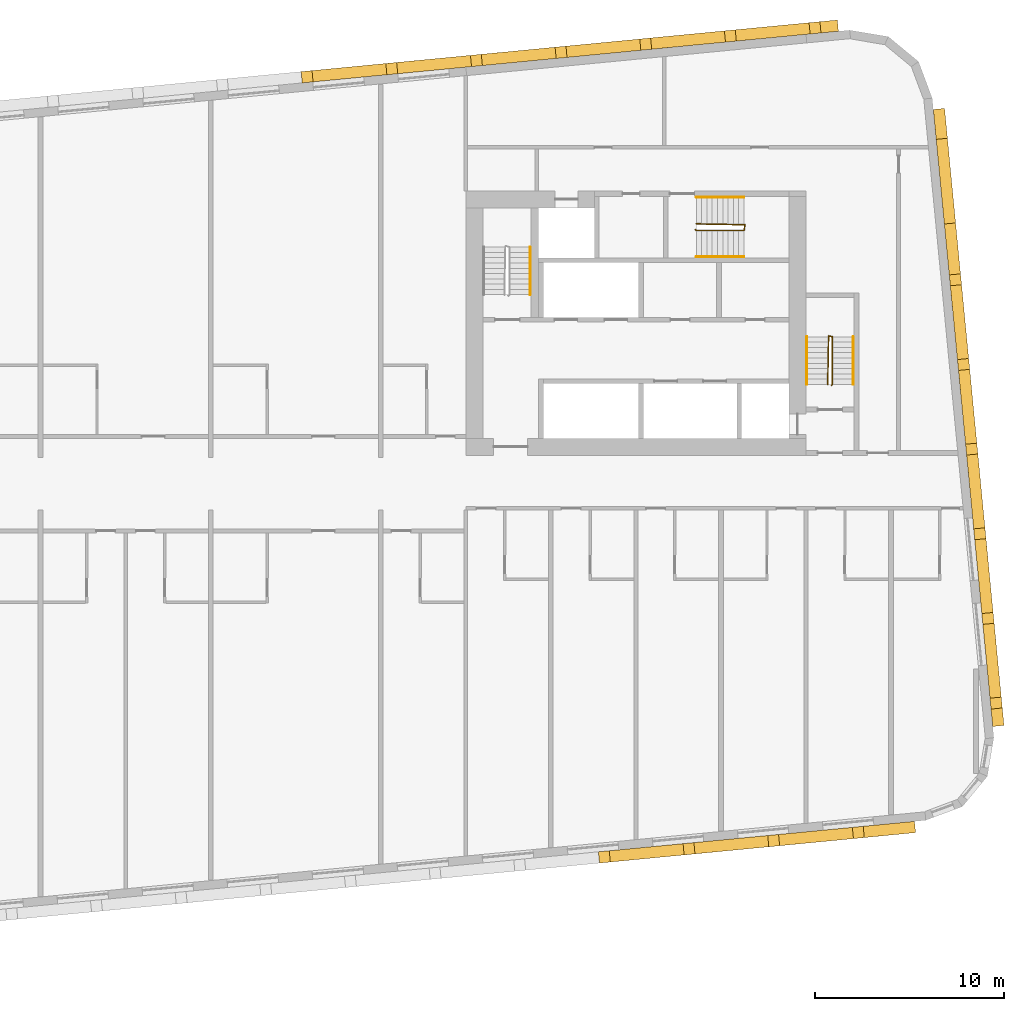
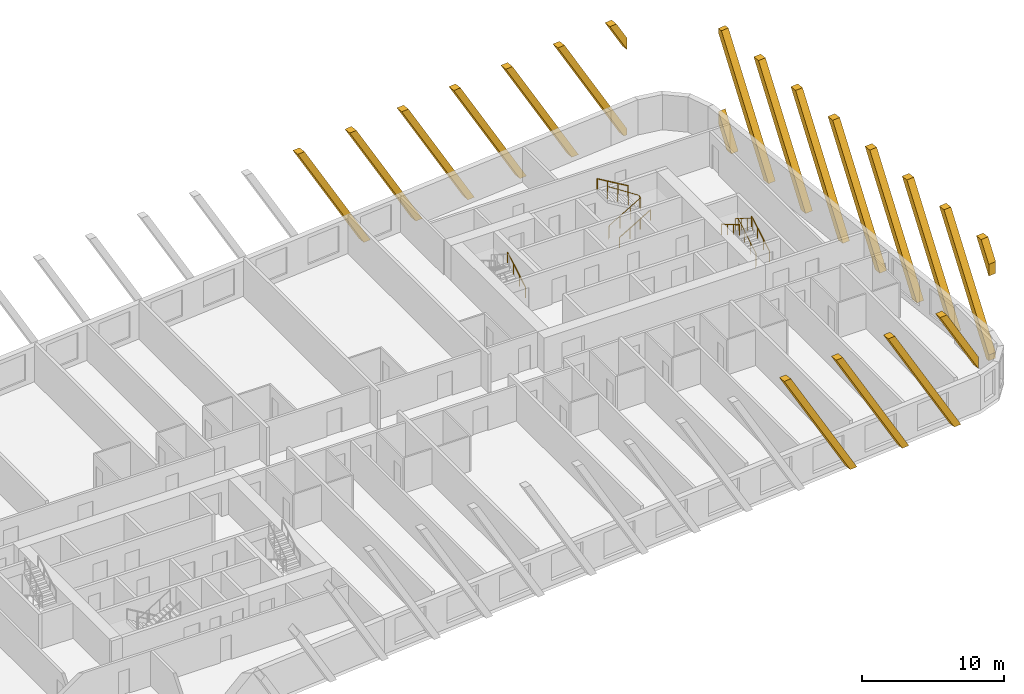
# One storey, part 13 of 13: 20 coverings, 7 railings.
"""IFC4 building model written with IfcOpenShell, lengths in metres."""

from ifc_helpers import new_model, si_unit, direction, frame, origin, origin_2d, place, context, subcontext, project, spatial, polyline, rectangle, circle, outline, extrude, material, material_profile, profile_set, type_object, element, save


model = new_model("IFC4")

# Units and contexts
model_context = context("Model", 3, precision=1e-05, world=origin(), true_north=direction((0.0, 1.0)))
body_context = subcontext(model_context, "Body", "Model", "MODEL_VIEW")
ifc_project = project(units=[si_unit("LENGTHUNIT", "METRE"), si_unit("AREAUNIT", "SQUARE_METRE"), si_unit("VOLUMEUNIT", "CUBIC_METRE"), si_unit("PLANEANGLEUNIT", "RADIAN"), si_unit("MASSUNIT", "GRAM", prefix="KILO")], contexts=[model_context])

# Site, building, storey
site_placement = place(None, origin())
site = spatial("IfcSite", under=ifc_project, at=site_placement, CompositionType="ELEMENT")
building_placement = place(site_placement, origin())
building = spatial("IfcBuilding", under=site, at=building_placement, Name="Kajstack Hotel Tower", CompositionType="ELEMENT")
storey_placement = place(building_placement, frame((0.0, 0.0, 186.699951171875)))
storey = spatial("IfcBuildingStorey", under=building, at=storey_placement, Name="L44", CompositionType="ELEMENT", Elevation=186.699951171875)

# Coverings
ifc_material_1 = material(Name="Terracotta", Category="masonry")
ifc_material_profile = material_profile(ifc_material_1, rectangle(XDim=0.60009765625, YDim=0.5, at=origin_2d()), Name="Terracotta-clad concrete baguette 500 x 600")
ifc_profile_set = profile_set([ifc_material_profile], Name="Terracotta")
covering_type = type_object("IfcCoveringType", Name="BAGUETTE 500x600", PredefinedType="CLADDING", material=ifc_profile_set)
for number, where, z_axis, x_axis, name in (
    (1, (20.515869140625, -19.477294921875, 0.0), (0.095634862357, -0.995416482233, 0.0), (0.995416482233, 0.095634862357, 0.0), "Baguette L44-04-054"),
    (2, (24.9951171875, -19.0458984375, 0.0), (0.095634862357, -0.995416482233, 0.0), (0.995416482233, 0.095634862357, 0.0), "Baguette L44-04-058"),
    (3, (29.474365234375, -18.61474609375, 0.0), (0.095634862357, -0.995416482233, 0.0), (0.995416482233, 0.095634862357, 0.0), "Baguette L44-04-062"),
):
    element("IfcCovering", number, at=place(storey_placement, frame(where, z_axis=z_axis, x_axis=x_axis)), inside=storey, type_object=covering_type, Name=name, PredefinedType="CLADDING", context=body_context, shape_type="SweptSolid", body=[
        extrude(outline(polyline([(0.0, 9.89990234375), (5.7158203125, 0.0), (6.293212890625, 0.0), (0.577392578125, 9.89990234375), (0.0, 9.89990234375)])), origin(), (0.0, 0.0, 1.0), 0.599853515625),
    ])
covering_1_placement = place(storey_placement, frame((33.95361328125, -18.183349609375, 0.0), z_axis=(0.096038073607, -0.995377661201, 0.0), x_axis=(0.995377661201, 0.096038073607, 0.0)))
element("IfcCovering", 4, at=covering_1_placement, inside=storey, type_object=covering_type, Name="Baguette L44-04-066", PredefinedType="CLADDING", context=body_context, shape_type="SweptSolid", body=[
    extrude(outline(polyline([(0.0, 9.89990234375), (3.304443359375, 4.176513671875), (3.304443359375, 5.176513671875), (0.577392578125, 9.89990234375), (0.0, 9.89990234375)])), origin(), (0.0, 0.0, 1.0), 0.599853515625),
])
covering_2_placement = place(storey_placement, frame((41.380859375, -12.846923828125, 0.0), z_axis=(0.995377661201, 0.096038073607, 0.0), x_axis=(-0.096038073607, 0.995377661201, 0.0)))
element("IfcCovering", 5, at=covering_2_placement, inside=storey, type_object=covering_type, Name="Baguette L44-08-002", PredefinedType="CLADDING", context=body_context, shape_type="SweptSolid", body=[
    extrude(outline(polyline([(0.927001953125, 9.89990234375), (0.0, 8.294189453125), (0.0, 7.294189453125), (1.50439453125, 9.89990234375), (0.927001953125, 9.89990234375)])), origin(), (0.0, 0.0, 1.0), 0.599853515625),
])
covering_3_placement = place(storey_placement, frame((41.380859375, -12.846923828125, 0.0), z_axis=(0.995377661201, 0.096038073607, 0.0), x_axis=(-0.096038073607, 0.995377661201, 0.0)))
element("IfcCovering", 6, at=covering_3_placement, inside=storey, type_object=covering_type, Name="Baguette L44-08-006", PredefinedType="CLADDING", context=body_context, shape_type="SweptSolid", body=[
    extrude(outline(polyline([(5.427001953125, 9.89990234375), (0.0, 0.5), (0.0, 0.0), (0.28857421875, 0.0), (6.00439453125, 9.89990234375), (5.427001953125, 9.89990234375)])), origin(), (0.0, 0.0, 1.0), 0.599853515625),
])
covering_4_placement = place(storey_placement, frame((40.97705078125, -8.655029296875, 0.0), z_axis=(0.995381412265, 0.095999188106, 0.0), x_axis=(-0.095999188106, 0.995381412265, 0.0)))
element("IfcCovering", 7, at=covering_4_placement, inside=storey, type_object=covering_type, Name="Baguette L44-08-010", PredefinedType="CLADDING", context=body_context, shape_type="SweptSolid", body=[
    extrude(outline(polyline([(5.7158203125, 9.89990234375), (0.0, 0.0), (0.577392578125, 0.0), (6.293212890625, 9.89990234375), (5.7158203125, 9.89990234375)])), origin(), (0.0, 0.0, 1.0), 0.60009765625),
])
covering_5_placement = place(storey_placement, frame((40.5458984375, -4.175537109375, 0.0), z_axis=(0.995416482233, 0.095634862357, 0.0), x_axis=(-0.095634862357, 0.995416482233, 0.0)))
element("IfcCovering", 8, at=covering_5_placement, inside=storey, type_object=covering_type, Name="Baguette L44-08-014", PredefinedType="CLADDING", context=body_context, shape_type="SweptSolid", body=[
    extrude(outline(polyline([(5.7158203125, 9.89990234375), (0.0, 0.0), (0.577392578125, 0.0), (6.293212890625, 9.89990234375), (5.7158203125, 9.89990234375)])), origin(), (0.0, 0.0, 1.0), 0.599853515625),
])
covering_6_placement = place(storey_placement, frame((40.114501953125, 0.3037109375, 0.0), z_axis=(0.995420202011, 0.095596137095, 0.0), x_axis=(-0.095596137095, 0.995420202011, 0.0)))
element("IfcCovering", 9, at=covering_6_placement, inside=storey, type_object=covering_type, Name="Baguette L44-08-018", PredefinedType="CLADDING", context=body_context, shape_type="SweptSolid", body=[
    extrude(outline(polyline([(5.7158203125, 9.89990234375), (0.0, 0.0), (0.577392578125, 0.0), (6.293212890625, 9.89990234375), (5.7158203125, 9.89990234375)])), origin(), (0.0, 0.0, 1.0), 0.60009765625),
])
for number, where, z_axis, x_axis, name in (
    (10, (39.683349609375, 4.782958984375, 0.0), (0.995416482233, 0.095634862357, 0.0), (-0.095634862357, 0.995416482233, 0.0), "Baguette L44-08-022"),
    (11, (39.251953125, 9.26220703125, 0.0), (0.995377661201, 0.096038073607, 0.0), (-0.096038073607, 0.995377661201, 0.0), "Baguette L44-08-026"),
):
    element("IfcCovering", number, at=place(storey_placement, frame(where, z_axis=z_axis, x_axis=x_axis)), inside=storey, type_object=covering_type, Name=name, PredefinedType="CLADDING", context=body_context, shape_type="SweptSolid", body=[
        extrude(outline(polyline([(5.7158203125, 9.89990234375), (0.0, 0.0), (0.577392578125, 0.0), (6.293212890625, 9.89990234375), (5.7158203125, 9.89990234375)])), origin(), (0.0, 0.0, 1.0), 0.599853515625),
    ])
covering_7_placement = place(storey_placement, frame((38.820556640625, 13.741455078125, 0.0), z_axis=(0.995381412265, 0.095999188106, 0.0), x_axis=(-0.095999188106, 0.995381412265, 0.0)))
element("IfcCovering", 12, at=covering_7_placement, inside=storey, type_object=covering_type, Name="Baguette L44-08-030", PredefinedType="CLADDING", context=body_context, shape_type="SweptSolid", body=[
    extrude(outline(polyline([(0.577392578125, 0.0), (6.088623046875, 9.545654296875), (6.088623046875, 9.89990234375), (5.7158203125, 9.89990234375), (0.0, 0.0), (0.577392578125, 0.0)])), origin(), (0.0, 0.0, 1.0), 0.60009765625),
])
covering_8_placement = place(storey_placement, frame((38.389404296875, 18.220703125, 0.0), z_axis=(0.995377661201, 0.096038073607, 0.0), x_axis=(-0.096038073607, 0.995377661201, 0.0)))
element("IfcCovering", 13, at=covering_8_placement, inside=storey, type_object=covering_type, Name="Baguette L44-08-034", PredefinedType="CLADDING", context=body_context, shape_type="SweptSolid", body=[
    extrude(outline(polyline([(0.577392578125, 0.0), (1.588623046875, 1.75146484375), (1.588623046875, 2.75146484375), (0.0, 0.0), (0.577392578125, 0.0)])), origin(), (0.0, 0.0, 1.0), 0.599853515625),
])
covering_9_placement = place(storey_placement, frame((33.21728515625, 23.93994140625, 0.0), z_axis=(-0.095634862357, 0.995416482233, 0.0), x_axis=(-0.995416482233, -0.095634862357, 0.0)))
element("IfcCovering", 14, at=covering_9_placement, inside=storey, type_object=covering_type, Name="Baguette L44-12-002", PredefinedType="CLADDING", context=body_context, shape_type="SweptSolid", body=[
    extrude(outline(polyline([(0.927001953125, 9.89990234375), (0.0, 8.294189453125), (0.0, 7.294189453125), (1.50439453125, 9.89990234375), (0.927001953125, 9.89990234375)])), origin(), (0.0, 0.0, 1.0), 0.599853515625),
])
covering_10_placement = place(storey_placement, frame((33.21728515625, 23.93994140625, 0.0), z_axis=(-0.095634862357, 0.995416482233, 0.0), x_axis=(-0.995416482233, -0.095634862357, 0.0)))
element("IfcCovering", 15, at=covering_10_placement, inside=storey, type_object=covering_type, Name="Baguette L44-12-006", PredefinedType="CLADDING", context=body_context, shape_type="SweptSolid", body=[
    extrude(outline(polyline([(5.427001953125, 9.89990234375), (0.0, 0.5), (0.0, 0.0), (0.28857421875, 0.0), (6.00439453125, 9.89990234375), (5.427001953125, 9.89990234375)])), origin(), (0.0, 0.0, 1.0), 0.599853515625),
])
covering_11_placement = place(storey_placement, frame((29.025390625, 23.536376953125, 0.0), z_axis=(-0.095634862357, 0.995416482233, 0.0), x_axis=(-0.995416482233, -0.095634862357, 0.0)))
element("IfcCovering", 16, at=covering_11_placement, inside=storey, type_object=covering_type, Name="Baguette L44-12-010", PredefinedType="CLADDING", context=body_context, shape_type="SweptSolid", body=[
    extrude(outline(polyline([(5.7158203125, 9.89990234375), (0.0, 0.0), (0.577392578125, 0.0), (6.293212890625, 9.89990234375), (5.7158203125, 9.89990234375)])), origin(), (0.0, 0.0, 1.0), 0.599853515625),
])
covering_12_placement = place(storey_placement, frame((24.546142578125, 23.10498046875, 0.0), z_axis=(-0.095999188106, 0.995381412265, 0.0), x_axis=(-0.995381412265, -0.095999188106, 0.0)))
element("IfcCovering", 17, at=covering_12_placement, inside=storey, type_object=covering_type, Name="Baguette L44-12-014", PredefinedType="CLADDING", context=body_context, shape_type="SweptSolid", body=[
    extrude(outline(polyline([(5.7158203125, 9.89990234375), (0.0, 0.0), (0.577392578125, 0.0), (6.293212890625, 9.89990234375), (5.7158203125, 9.89990234375)])), origin(), (0.0, 0.0, 1.0), 0.60009765625),
])
for number, where, z_axis, x_axis, name in (
    (18, (20.06689453125, 22.673828125, 0.0), (-0.096038073607, 0.995377661201, 0.0), (-0.995377661201, -0.096038073607, 0.0), "Baguette L44-12-018"),
    (19, (15.587646484375, 22.242431640625, 0.0), (-0.096038073607, 0.995377661201, 0.0), (-0.995377661201, -0.096038073607, 0.0), "Baguette L44-12-022"),
):
    element("IfcCovering", number, at=place(storey_placement, frame(where, z_axis=z_axis, x_axis=x_axis)), inside=storey, type_object=covering_type, Name=name, PredefinedType="CLADDING", context=body_context, shape_type="SweptSolid", body=[
        extrude(outline(polyline([(5.7158203125, 9.89990234375), (0.0, 0.0), (0.577392578125, 0.0), (6.293212890625, 9.89990234375), (5.7158203125, 9.89990234375)])), origin(), (0.0, 0.0, 1.0), 0.599853515625),
    ])
covering_13_placement = place(storey_placement, frame((11.1083984375, 21.81103515625, 0.0), z_axis=(-0.095999188106, 0.995381412265, 0.0), x_axis=(-0.995381412265, -0.095999188106, 0.0)))
element("IfcCovering", 20, at=covering_13_placement, inside=storey, type_object=covering_type, Name="Baguette L44-12-026", PredefinedType="CLADDING", context=body_context, shape_type="SweptSolid", body=[
    extrude(outline(polyline([(5.7158203125, 9.89990234375), (0.0, 0.0), (0.577392578125, 0.0), (6.293212890625, 9.89990234375), (5.7158203125, 9.89990234375)])), origin(), (0.0, 0.0, 1.0), 0.60009765625),
])

# Railings
ifc_material_2 = material(Name="Steel S355J2", Category="steel")
railing_type_1 = type_object("IfcRailingType", Name="Stair guard 1100", PredefinedType="GUARDRAIL", material=ifc_material_2)
railing_1_placement = place(storey_placement, frame((32.85009765625, 5.199951171875, 0.0)))
element("IfcRailing", 21, at=railing_1_placement, inside=storey, type_object=railing_type_1, Name="L44 E1 stair guard 1", PredefinedType="GUARDRAIL", context=body_context, shape_type="SweptSolid", body=[
    extrude(circle(Radius=0.02392578125, at=origin_2d()), frame((0.0, 0.0, 1.076171875), z_axis=(0.277450376394, 0.278810427259, 0.919394384522), x_axis=(-0.708833529934, 0.705375805398, 0.0)), (0.0, 0.0, 1.0), 0.179443359375),
    extrude(circle(Radius=0.02392578125, at=origin_2d()), frame((0.0498046875, 0.050048828125, 1.2412109375), z_axis=(0.0, 0.86152411907, 0.507716645641), x_axis=(-1.0, 0.0, 0.0)), (0.0, 0.0, 1.0), 2.925048828125),
    extrude(circle(Radius=0.02392578125, at=origin_2d()), frame((0.0498046875, 2.570068359375, 2.72607421875), z_axis=(-0.970072785993, 0.242814311512, 0.0), x_axis=(-0.242814311512, -0.970072785993, 0.0)), (0.0, 0.0, 1.0), 0.2060546875),
    extrude(circle(Radius=0.02392578125, at=origin_2d()), frame((-0.150146484375, 2.6201171875, 2.72607421875), z_axis=(-0.016385308676, -0.841405582595, 0.540155687962), x_axis=(0.999810440751, -0.019470042781, 0.0)), (0.0, 0.0, 1.0), 3.054443359375),
    extrude(circle(Radius=0.02099609375, at=origin_2d()), origin(), (0.0, 0.0, 1.0), 1.052001953125),
    extrude(circle(Radius=0.02099609375, at=origin_2d()), frame((0.0498046875, 0.050048828125, 0.1650390625)), (0.0, 0.0, 1.0), 1.052001953125),
    extrude(circle(Radius=0.02099609375, at=origin_2d()), frame((0.0498046875, 0.89013671875, 0.66015625)), (0.0, 0.0, 1.0), 1.052001953125),
    extrude(circle(Radius=0.02099609375, at=origin_2d()), frame((0.0498046875, 1.72998046875, 1.155029296875)), (0.0, 0.0, 1.0), 1.052001953125),
    extrude(circle(Radius=0.02099609375, at=origin_2d()), frame((0.0498046875, 2.570068359375, 1.650146484375)), (0.0, 0.0, 1.0), 1.052001953125),
    extrude(circle(Radius=0.02099609375, at=origin_2d()), frame((-0.150146484375, 2.6201171875, 1.650146484375)), (0.0, 0.0, 1.0), 1.052001953125),
    extrude(circle(Radius=0.02099609375, at=origin_2d()), frame((-0.166748046875, 1.763427734375, 2.2001953125)), (0.0, 0.0, 1.0), 1.052001953125),
    extrude(circle(Radius=0.02099609375, at=origin_2d()), frame((-0.18359375, 0.90673828125, 2.75)), (0.0, 0.0, 1.0), 1.052001953125),
    extrude(circle(Radius=0.02099609375, at=origin_2d()), frame((-0.2001953125, 0.050048828125, 3.300048828125)), (0.0, 0.0, 1.0), 1.052001953125),
])
railing_2_placement = place(storey_placement, frame((25.64990234375, 13.449951171875, 0.0)))
element("IfcRailing", 22, at=railing_2_placement, inside=storey, type_object=railing_type_1, Name="L44 E3 stair guard 1", PredefinedType="GUARDRAIL", context=body_context, shape_type="SweptSolid", body=[
    extrude(circle(Radius=0.02392578125, at=origin_2d()), frame((0.0, 0.0, 1.076171875), z_axis=(0.278705021027, -0.278705021027, 0.919046801044), x_axis=(0.707106781187, 0.707106781187, 0.0)), (0.0, 0.0, 1.0), 0.1796875),
    extrude(circle(Radius=0.02392578125, at=origin_2d()), frame((0.050048828125, -0.050048828125, 1.2412109375), z_axis=(0.86152411907, 0.0, 0.507716645641), x_axis=(0.0, 1.0, 0.0)), (0.0, 0.0, 1.0), 2.925048828125),
    extrude(circle(Radius=0.02392578125, at=origin_2d()), frame((2.570068359375, -0.050048828125, 2.72607421875), z_axis=(0.164529134168, 0.986372223864, 0.0), x_axis=(-0.986372223864, 0.164529134168, 0.0)), (0.0, 0.0, 1.0), 0.30419921875),
    extrude(circle(Radius=0.02392578125, at=origin_2d()), frame((2.6201171875, 0.25, 2.72607421875), z_axis=(-0.841405582595, 0.016385308676, 0.540155687962), x_axis=(-0.019470042781, -0.999810440751, 0.0)), (0.0, 0.0, 1.0), 3.054443359375),
    extrude(circle(Radius=0.02099609375, at=origin_2d()), origin(), (0.0, 0.0, 1.0), 1.052001953125),
    extrude(circle(Radius=0.02099609375, at=origin_2d()), frame((0.050048828125, -0.050048828125, 0.1650390625)), (0.0, 0.0, 1.0), 1.052001953125),
    extrude(circle(Radius=0.02099609375, at=origin_2d()), frame((0.89013671875, -0.050048828125, 0.66015625)), (0.0, 0.0, 1.0), 1.052001953125),
    extrude(circle(Radius=0.02099609375, at=origin_2d()), frame((1.72998046875, -0.050048828125, 1.155029296875)), (0.0, 0.0, 1.0), 1.052001953125),
    extrude(circle(Radius=0.02099609375, at=origin_2d()), frame((2.570068359375, -0.050048828125, 1.650146484375)), (0.0, 0.0, 1.0), 1.052001953125),
    extrude(circle(Radius=0.02099609375, at=origin_2d()), frame((2.6201171875, 0.25, 1.650146484375)), (0.0, 0.0, 1.0), 1.052001953125),
    extrude(circle(Radius=0.02099609375, at=origin_2d()), frame((1.763427734375, 0.2666015625, 2.2001953125)), (0.0, 0.0, 1.0), 1.052001953125),
    extrude(circle(Radius=0.02099609375, at=origin_2d()), frame((0.90673828125, 0.283447265625, 2.75)), (0.0, 0.0, 1.0), 1.052001953125),
    extrude(circle(Radius=0.02099609375, at=origin_2d()), frame((0.050048828125, 0.300048828125, 3.300048828125)), (0.0, 0.0, 1.0), 1.052001953125),
])
railing_type_2 = type_object("IfcRailingType", Name="Stair handrail 900", PredefinedType="HANDRAIL", material=ifc_material_2)
railing_3_placement = place(storey_placement, frame((34.0, 5.25, 0.1650390625)))
element("IfcRailing", 23, at=railing_3_placement, inside=storey, type_object=railing_type_2, Name="L44 E1 stair handrail 1", PredefinedType="HANDRAIL", context=body_context, shape_type="SweptSolid", body=[
    extrude(circle(Radius=0.02392578125, at=origin_2d()), frame((0.0, 0.0, 0.8759765625), z_axis=(0.0, 0.86152411907, 0.507716645641), x_axis=(-1.0, 0.0, 0.0)), (0.0, 0.0, 1.0), 2.925048828125),
    extrude(circle(Radius=0.02099609375, at=origin_2d()), origin(), (0.0, 0.0, 1.0), 0.851806640625),
    extrude(circle(Radius=0.02099609375, at=origin_2d()), frame((0.0, 0.840087890625, 0.4951171875)), (0.0, 0.0, 1.0), 0.851806640625),
    extrude(circle(Radius=0.02099609375, at=origin_2d()), frame((0.0, 1.679931640625, 0.989990234375)), (0.0, 0.0, 1.0), 0.851806640625),
    extrude(circle(Radius=0.02099609375, at=origin_2d()), frame((0.0, 2.52001953125, 1.485107421875)), (0.0, 0.0, 1.0), 0.851806640625),
])
railing_4_placement = place(storey_placement, frame((31.550048828125, 7.77001953125, 1.81494140625)))
element("IfcRailing", 24, at=railing_4_placement, inside=storey, type_object=railing_type_2, Name="L44 E1 stair handrail 2", PredefinedType="HANDRAIL", context=body_context, shape_type="SweptSolid", body=[
    extrude(circle(Radius=0.02392578125, at=origin_2d()), frame((0.0, 0.0, 0.8759765625), z_axis=(0.0, -0.86152411907, 0.507716645641), x_axis=(1.0, 0.0, 0.0)), (0.0, 0.0, 1.0), 2.925048828125),
    extrude(circle(Radius=0.02099609375, at=origin_2d()), origin(), (0.0, 0.0, 1.0), 0.851806640625),
    extrude(circle(Radius=0.02099609375, at=origin_2d()), frame((0.0, -0.840087890625, 0.4951171875)), (0.0, 0.0, 1.0), 0.851806640625),
    extrude(circle(Radius=0.02099609375, at=origin_2d()), frame((0.0, -1.679931640625, 0.989990234375)), (0.0, 0.0, 1.0), 0.851806640625),
    extrude(circle(Radius=0.02099609375, at=origin_2d()), frame((0.0, -2.52001953125, 1.485107421875)), (0.0, 0.0, 1.0), 0.851806640625),
])
railing_5_placement = place(storey_placement, frame((16.89990234375, 10.0, 0.1650390625)))
element("IfcRailing", 25, at=railing_5_placement, inside=storey, type_object=railing_type_2, Name="L44 E2 stair handrail 1", PredefinedType="HANDRAIL", context=body_context, shape_type="SweptSolid", body=[
    extrude(circle(Radius=0.02392578125, at=origin_2d()), frame((0.0, 0.0, 0.8759765625), z_axis=(0.0, 0.86152411907, 0.507716645641), x_axis=(-1.0, 0.0, 0.0)), (0.0, 0.0, 1.0), 2.925048828125),
    extrude(circle(Radius=0.02099609375, at=origin_2d()), origin(), (0.0, 0.0, 1.0), 0.851806640625),
    extrude(circle(Radius=0.02099609375, at=origin_2d()), frame((0.0, 0.840087890625, 0.4951171875)), (0.0, 0.0, 1.0), 0.851806640625),
    extrude(circle(Radius=0.02099609375, at=origin_2d()), frame((0.0, 1.679931640625, 0.989990234375)), (0.0, 0.0, 1.0), 0.851806640625),
    extrude(circle(Radius=0.02099609375, at=origin_2d()), frame((0.0, 2.52001953125, 1.485107421875)), (0.0, 0.0, 1.0), 0.851806640625),
])
railing_6_placement = place(storey_placement, frame((25.699951171875, 12.0, 0.1650390625)))
element("IfcRailing", 26, at=railing_6_placement, inside=storey, type_object=railing_type_2, Name="L44 E3 stair handrail 1", PredefinedType="HANDRAIL", context=body_context, shape_type="SweptSolid", body=[
    extrude(circle(Radius=0.02392578125, at=origin_2d()), frame((0.0, 0.0, 0.8759765625), z_axis=(0.86152411907, 0.0, 0.507716645641), x_axis=(0.0, 1.0, 0.0)), (0.0, 0.0, 1.0), 2.925048828125),
    extrude(circle(Radius=0.02099609375, at=origin_2d()), origin(), (0.0, 0.0, 1.0), 0.851806640625),
    extrude(circle(Radius=0.02099609375, at=origin_2d()), frame((0.840087890625, 0.0, 0.4951171875)), (0.0, 0.0, 1.0), 0.851806640625),
    extrude(circle(Radius=0.02099609375, at=origin_2d()), frame((1.679931640625, 0.0, 0.989990234375)), (0.0, 0.0, 1.0), 0.851806640625),
    extrude(circle(Radius=0.02099609375, at=origin_2d()), frame((2.52001953125, 0.0, 1.485107421875)), (0.0, 0.0, 1.0), 0.851806640625),
])
railing_7_placement = place(storey_placement, frame((28.219970703125, 15.14990234375, 1.81494140625)))
element("IfcRailing", 27, at=railing_7_placement, inside=storey, type_object=railing_type_2, Name="L44 E3 stair handrail 2", PredefinedType="HANDRAIL", context=body_context, shape_type="SweptSolid", body=[
    extrude(circle(Radius=0.02392578125, at=origin_2d()), frame((0.0, 0.0, 0.8759765625), z_axis=(-0.86152411907, 0.0, 0.507716645641), x_axis=(0.0, -1.0, 0.0)), (0.0, 0.0, 1.0), 2.925048828125),
    extrude(circle(Radius=0.02099609375, at=origin_2d()), origin(), (0.0, 0.0, 1.0), 0.851806640625),
    extrude(circle(Radius=0.02099609375, at=origin_2d()), frame((-0.840087890625, 0.0, 0.4951171875)), (0.0, 0.0, 1.0), 0.851806640625),
    extrude(circle(Radius=0.02099609375, at=origin_2d()), frame((-1.679931640625, 0.0, 0.989990234375)), (0.0, 0.0, 1.0), 0.851806640625),
    extrude(circle(Radius=0.02099609375, at=origin_2d()), frame((-2.52001953125, 0.0, 1.485107421875)), (0.0, 0.0, 1.0), 0.851806640625),
])

save(model, "model.ifc")
